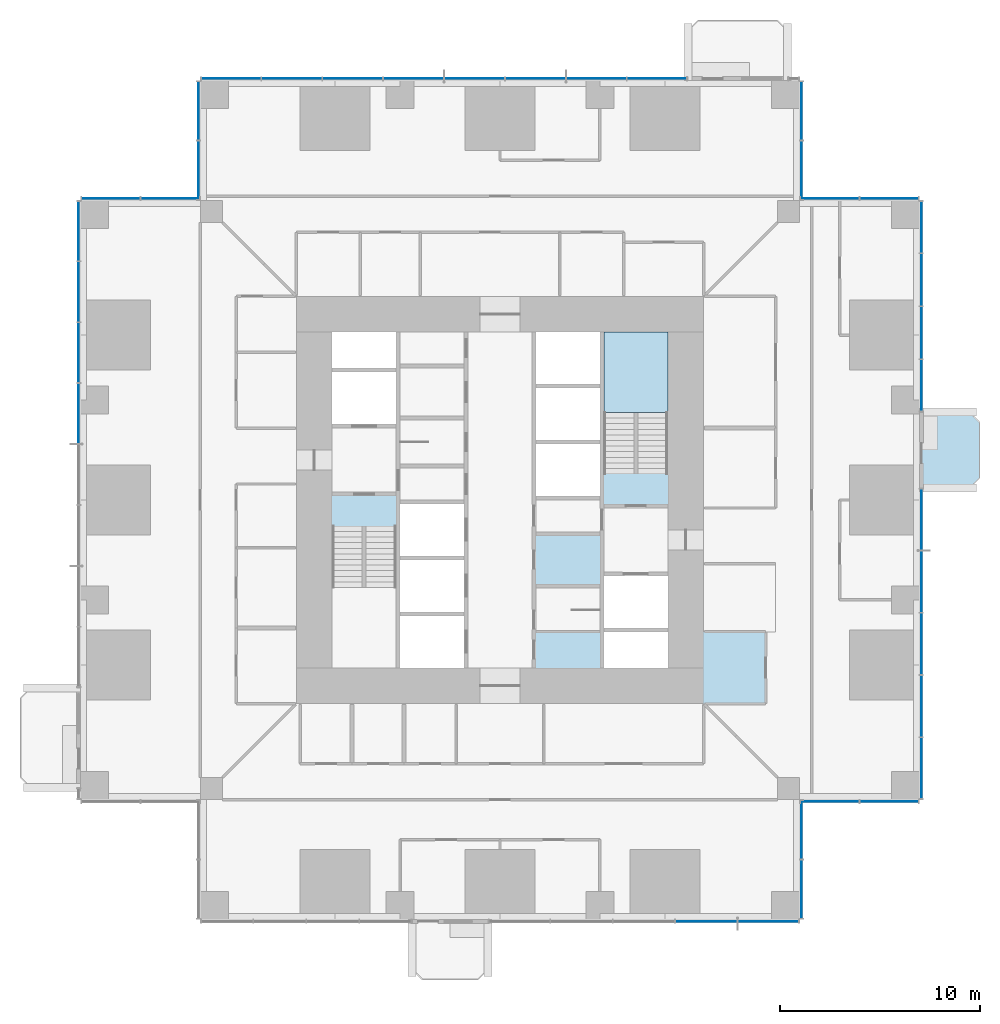
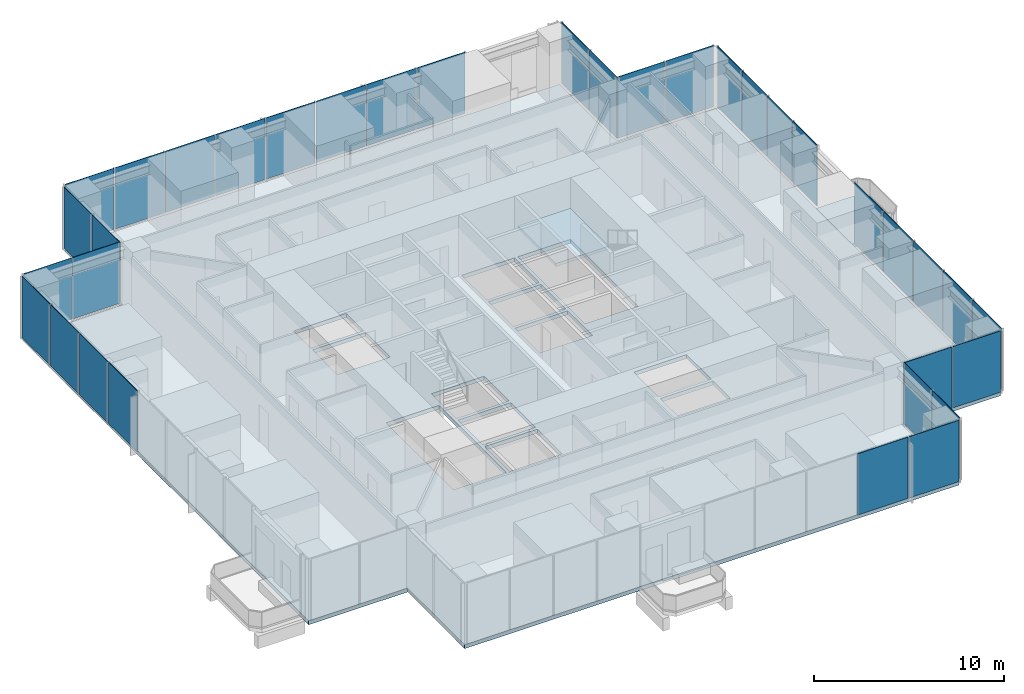
# One storey, part 9 of 17: 35 plates, 3 slabs, 12 elements without a shape of their own.
"""IFC4 building model written with IfcOpenShell, lengths in metres."""

from ifc_helpers import new_model, si_unit, direction, frame, origin, origin_2d, place, context, subcontext, project, spatial, polyline, rectangle, outline, extrude, material, layer, layer_set, type_object, element, aggregate, save


model = new_model("IFC4")

# Units and contexts
model_context = context("Model", 3, precision=1e-05, world=origin(), true_north=direction((0.0, 1.0)))
body_context = subcontext(model_context, "Body", "Model", "MODEL_VIEW")
ifc_project = project(units=[si_unit("LENGTHUNIT", "METRE"), si_unit("AREAUNIT", "SQUARE_METRE"), si_unit("VOLUMEUNIT", "CUBIC_METRE"), si_unit("PLANEANGLEUNIT", "RADIAN"), si_unit("MASSUNIT", "GRAM", prefix="KILO")], contexts=[model_context])

# Site, building, storey
site_placement = place(None, origin())
site = spatial("IfcSite", under=ifc_project, at=site_placement, CompositionType="ELEMENT")
building_placement = place(site_placement, origin())
building = spatial("IfcBuilding", under=site, at=building_placement, Name="Svetlomir Tower", CompositionType="ELEMENT")
storey_placement = place(building_placement, frame((0.0, 0.0, 62.5)))
storey = spatial("IfcBuildingStorey", under=building, at=storey_placement, Name="L14", CompositionType="ELEMENT", Elevation=62.5)

# Slab
ifc_material_1 = material(Name="Concrete C60/75", Category="concrete")
ifc_layer_1 = layer(ifc_material_1, 0.25)
ifc_layer_set_1 = layer_set([ifc_layer_1], Name="Concrete C60/75")
slab_type_1 = type_object("IfcSlabType", Name="BALCONY SLAB 250", PredefinedType="FLOOR", material=ifc_layer_set_1)
slab_1_placement = place(storey_placement, frame((0.0, 0.0, -0.25)))
element("IfcSlab", 1, at=slab_1_placement, inside=storey, type_object=slab_type_1, Name="L14 E planted balcony", PredefinedType="FLOOR", context=body_context, shape_type="SweptSolid", body=[
    extrude(outline(polyline([(42.0, 21.60009765625), (44.5, 21.60009765625), (45.0, 22.10009765625), (45.0, 24.89990234375), (44.5, 25.39990234375), (42.0, 25.39990234375), (42.0, 21.60009765625)])), origin(), (0.0, 0.0, 1.0), 0.25),
])

# Curtain wall, plates
ifc_material_2 = material(Name="Bronze anodised aluminium curtain wall", Category="aluminium")
curtain_wall_type = type_object("IfcCurtainWallType", Name="CURTAIN WALL CW1 TOWER OFFICE", PredefinedType="NOTDEFINED", material=ifc_material_2)
curtain_wall_1_placement = place(storey_placement, origin())
curtain_wall_1 = element("IfcCurtainWall", 2, at=curtain_wall_1_placement, inside=storey, type_object=curtain_wall_type, Name="Curtain wall CW1 L14", PredefinedType="NOTDEFINED")
ifc_material_3 = material(Name="Tinted double glazed unit", Category="glass")
ifc_layer_2 = layer(ifc_material_3, 0.031982421875)
ifc_layer_set_2 = layer_set([ifc_layer_2], Name="Tinted double glazed unit")
plate_type = type_object("IfcPlateType", Name="CW1 GLAZED PANEL 32", PredefinedType="CURTAIN_PANEL", material=ifc_layer_set_2)
plate_1_placement = place(storey_placement, frame((31.320068359375, -0.10009765625, 0.06494140625), z_axis=(0.0, 0.0, 1.0), x_axis=(1.0, 0.0, 0.0)))
plate_1 = element("IfcPlate", 3, at=plate_1_placement, type_object=plate_type, Name="CW1 panel 4.1", PredefinedType="CURTAIN_PANEL", context=body_context, shape_type="SweptSolid", body=[
    extrude(rectangle(XDim=3.054931640625, YDim=0.031982421875, at=origin_2d()), origin(), (0.0, 0.0, 1.0), 3.93505859375),
])
plate_2_placement = place(storey_placement, frame((34.423828125, -0.10009765625, 0.06494140625), z_axis=(0.0, 0.0, 1.0), x_axis=(1.0, 0.0, 0.0)))
plate_2 = element("IfcPlate", 4, at=plate_2_placement, type_object=plate_type, Name="CW1 panel 5.1", PredefinedType="CURTAIN_PANEL", context=body_context, shape_type="SweptSolid", body=[
    extrude(rectangle(XDim=3.0224609375, YDim=0.031982421875, at=origin_2d()), origin(), (0.0, 0.0, 1.0), 3.93505859375),
])
aggregate(curtain_wall_1, [plate_1, plate_2])

curtain_wall_2_placement = place(storey_placement, origin())
curtain_wall_2 = element("IfcCurtainWall", 5, at=curtain_wall_2_placement, inside=storey, type_object=curtain_wall_type, Name="Curtain wall CW1 L14", PredefinedType="NOTDEFINED")
plate_3_placement = place(storey_placement, frame((36.10009765625, 1.516357421875, 0.06494140625), z_axis=(0.0, 0.0, 1.0), x_axis=(0.0, 1.0, 0.0)))
plate_3 = element("IfcPlate", 6, at=plate_3_placement, type_object=plate_type, Name="CW1 panel 1.1", PredefinedType="CURTAIN_PANEL", context=body_context, shape_type="SweptSolid", body=[
    extrude(rectangle(XDim=2.902587890625, YDim=0.031982421875, at=origin_2d()), origin(), (0.0, 0.0, 1.0), 3.93505859375),
])
plate_4_placement = place(storey_placement, frame((36.10009765625, 4.483642578125, 0.06494140625), z_axis=(0.0, 0.0, 1.0), x_axis=(0.0, 1.0, 0.0)))
plate_4 = element("IfcPlate", 7, at=plate_4_placement, type_object=plate_type, Name="CW1 panel 2.1", PredefinedType="CURTAIN_PANEL", context=body_context, shape_type="SweptSolid", body=[
    extrude(rectangle(XDim=2.902587890625, YDim=0.031982421875, at=origin_2d()), origin(), (0.0, 0.0, 1.0), 3.93505859375),
])
aggregate(curtain_wall_2, [plate_3, plate_4])

curtain_wall_3_placement = place(storey_placement, origin())
curtain_wall_3 = element("IfcCurtainWall", 8, at=curtain_wall_3_placement, inside=storey, type_object=curtain_wall_type, Name="Curtain wall CW1 L14", PredefinedType="NOTDEFINED")
plate_5_placement = place(storey_placement, frame((37.516357421875, 5.89990234375, 0.06494140625), z_axis=(0.0, 0.0, 1.0), x_axis=(1.0, 0.0, 0.0)))
plate_5 = element("IfcPlate", 9, at=plate_5_placement, type_object=plate_type, Name="CW1 panel 1.1", PredefinedType="CURTAIN_PANEL", context=body_context, shape_type="SweptSolid", body=[
    extrude(rectangle(XDim=2.902587890625, YDim=0.031982421875, at=origin_2d()), origin(), (0.0, 0.0, 1.0), 3.93505859375),
])
plate_6_placement = place(storey_placement, frame((40.483642578125, 5.89990234375, 0.06494140625), z_axis=(0.0, 0.0, 1.0), x_axis=(1.0, 0.0, 0.0)))
plate_6 = element("IfcPlate", 10, at=plate_6_placement, type_object=plate_type, Name="CW1 panel 2.1", PredefinedType="CURTAIN_PANEL", context=body_context, shape_type="SweptSolid", body=[
    extrude(rectangle(XDim=2.902587890625, YDim=0.031982421875, at=origin_2d()), origin(), (0.0, 0.0, 1.0), 3.93505859375),
])
aggregate(curtain_wall_3, [plate_5, plate_6])

curtain_wall_4_placement = place(storey_placement, origin())
curtain_wall_4 = element("IfcCurtainWall", 11, at=curtain_wall_4_placement, inside=storey, type_object=curtain_wall_type, Name="Curtain wall CW1 L14", PredefinedType="NOTDEFINED")
plate_7_placement = place(storey_placement, frame((42.10009765625, 7.576171875, 0.06494140625), z_axis=(0.0, 0.0, 1.0), x_axis=(0.0, 1.0, 0.0)))
plate_7 = element("IfcPlate", 12, at=plate_7_placement, type_object=plate_type, Name="CW1 panel 1.1", PredefinedType="CURTAIN_PANEL", context=body_context, shape_type="SweptSolid", body=[
    extrude(rectangle(XDim=3.0224609375, YDim=0.031982421875, at=origin_2d()), origin(), (0.0, 0.0, 1.0), 3.93505859375),
])
plate_8_placement = place(storey_placement, frame((42.10009765625, 10.679931640625, 0.06494140625), z_axis=(0.0, 0.0, 1.0), x_axis=(0.0, 1.0, 0.0)))
plate_8 = element("IfcPlate", 13, at=plate_8_placement, type_object=plate_type, Name="CW1 panel 2.1", PredefinedType="CURTAIN_PANEL", context=body_context, shape_type="SweptSolid", body=[
    extrude(rectangle(XDim=3.054931640625, YDim=0.031982421875, at=origin_2d()), origin(), (0.0, 0.0, 1.0), 3.93505859375),
])
plate_9_placement = place(storey_placement, frame((42.10009765625, 13.800048828125, 0.06494140625), z_axis=(0.0, 0.0, 1.0), x_axis=(0.0, 1.0, 0.0)))
plate_9 = element("IfcPlate", 14, at=plate_9_placement, type_object=plate_type, Name="CW1 panel 3.1", PredefinedType="CURTAIN_PANEL", context=body_context, shape_type="SweptSolid", body=[
    extrude(rectangle(XDim=3.054931640625, YDim=0.031982421875, at=origin_2d()), origin(), (0.0, 0.0, 1.0), 3.93505859375),
])
plate_10_placement = place(storey_placement, frame((42.10009765625, 16.919921875, 0.06494140625), z_axis=(0.0, 0.0, 1.0), x_axis=(0.0, 1.0, 0.0)))
plate_10 = element("IfcPlate", 15, at=plate_10_placement, type_object=plate_type, Name="CW1 panel 4.1", PredefinedType="CURTAIN_PANEL", context=body_context, shape_type="SweptSolid", body=[
    extrude(rectangle(XDim=3.054931640625, YDim=0.031982421875, at=origin_2d()), origin(), (0.0, 0.0, 1.0), 3.93505859375),
])
plate_11_placement = place(storey_placement, frame((42.10009765625, 20.023681640625, 0.06494140625), z_axis=(0.0, 0.0, 1.0), x_axis=(0.0, 1.0, 0.0)))
plate_11 = element("IfcPlate", 16, at=plate_11_placement, type_object=plate_type, Name="CW1 panel 5.1", PredefinedType="CURTAIN_PANEL", context=body_context, shape_type="SweptSolid", body=[
    extrude(rectangle(XDim=3.0224609375, YDim=0.031982421875, at=origin_2d()), origin(), (0.0, 0.0, 1.0), 3.93505859375),
])
aggregate(curtain_wall_4, [plate_7, plate_8, plate_9, plate_10, plate_11])

curtain_wall_5_placement = place(storey_placement, origin())
curtain_wall_5 = element("IfcCurtainWall", 17, at=curtain_wall_5_placement, inside=storey, type_object=curtain_wall_type, Name="Curtain wall CW1 L14", PredefinedType="NOTDEFINED")
plate_12_placement = place(storey_placement, frame((42.10009765625, 26.7412109375, 0.06494140625), z_axis=(0.0, 0.0, 1.0), x_axis=(0.0, 1.0, 0.0)))
plate_12 = element("IfcPlate", 18, at=plate_12_placement, type_object=plate_type, Name="CW1 panel 1.1", PredefinedType="CURTAIN_PANEL", context=body_context, shape_type="SweptSolid", body=[
    extrude(rectangle(XDim=2.552490234375, YDim=0.031982421875, at=origin_2d()), origin(), (0.0, 0.0, 1.0), 3.93505859375),
])
plate_13_placement = place(storey_placement, frame((42.10009765625, 29.375, 0.06494140625), z_axis=(0.0, 0.0, 1.0), x_axis=(0.0, 1.0, 0.0)))
plate_13 = element("IfcPlate", 19, at=plate_13_placement, type_object=plate_type, Name="CW1 panel 2.1", PredefinedType="CURTAIN_PANEL", context=body_context, shape_type="SweptSolid", body=[
    extrude(rectangle(XDim=2.5849609375, YDim=0.031982421875, at=origin_2d()), origin(), (0.0, 0.0, 1.0), 3.93505859375),
])
plate_14_placement = place(storey_placement, frame((42.10009765625, 32.02490234375, 0.06494140625), z_axis=(0.0, 0.0, 1.0), x_axis=(0.0, 1.0, 0.0)))
plate_14 = element("IfcPlate", 20, at=plate_14_placement, type_object=plate_type, Name="CW1 panel 3.1", PredefinedType="CURTAIN_PANEL", context=body_context, shape_type="SweptSolid", body=[
    extrude(rectangle(XDim=2.5849609375, YDim=0.031982421875, at=origin_2d()), origin(), (0.0, 0.0, 1.0), 3.93505859375),
])
plate_15_placement = place(storey_placement, frame((42.10009765625, 34.65869140625, 0.06494140625), z_axis=(0.0, 0.0, 1.0), x_axis=(0.0, 1.0, 0.0)))
plate_15 = element("IfcPlate", 21, at=plate_15_placement, type_object=plate_type, Name="CW1 panel 4.1", PredefinedType="CURTAIN_PANEL", context=body_context, shape_type="SweptSolid", body=[
    extrude(rectangle(XDim=2.552490234375, YDim=0.031982421875, at=origin_2d()), origin(), (0.0, 0.0, 1.0), 3.93505859375),
])
aggregate(curtain_wall_5, [plate_12, plate_13, plate_14, plate_15])

curtain_wall_6_placement = place(storey_placement, origin())
curtain_wall_6 = element("IfcCurtainWall", 22, at=curtain_wall_6_placement, inside=storey, type_object=curtain_wall_type, Name="Curtain wall CW1 L14", PredefinedType="NOTDEFINED")
plate_16_placement = place(storey_placement, frame((40.483642578125, 36.10009765625, 0.06494140625), z_axis=(0.0, 0.0, 1.0), x_axis=(-1.0, 0.0, 0.0)))
plate_16 = element("IfcPlate", 23, at=plate_16_placement, type_object=plate_type, Name="CW1 panel 1.1", PredefinedType="CURTAIN_PANEL", context=body_context, shape_type="SweptSolid", body=[
    extrude(rectangle(XDim=2.902587890625, YDim=0.031982421875, at=origin_2d()), origin(), (0.0, 0.0, 1.0), 3.93505859375),
])
plate_17_placement = place(storey_placement, frame((37.516357421875, 36.10009765625, 0.06494140625), z_axis=(0.0, 0.0, 1.0), x_axis=(-1.0, 0.0, 0.0)))
plate_17 = element("IfcPlate", 24, at=plate_17_placement, type_object=plate_type, Name="CW1 panel 2.1", PredefinedType="CURTAIN_PANEL", context=body_context, shape_type="SweptSolid", body=[
    extrude(rectangle(XDim=2.902587890625, YDim=0.031982421875, at=origin_2d()), origin(), (0.0, 0.0, 1.0), 3.93505859375),
])
aggregate(curtain_wall_6, [plate_16, plate_17])

curtain_wall_7_placement = place(storey_placement, origin())
curtain_wall_7 = element("IfcCurtainWall", 25, at=curtain_wall_7_placement, inside=storey, type_object=curtain_wall_type, Name="Curtain wall CW1 L14", PredefinedType="NOTDEFINED")
plate_18_placement = place(storey_placement, frame((36.10009765625, 37.516357421875, 0.06494140625), z_axis=(0.0, 0.0, 1.0), x_axis=(0.0, 1.0, 0.0)))
plate_18 = element("IfcPlate", 26, at=plate_18_placement, type_object=plate_type, Name="CW1 panel 1.1", PredefinedType="CURTAIN_PANEL", context=body_context, shape_type="SweptSolid", body=[
    extrude(rectangle(XDim=2.902587890625, YDim=0.031982421875, at=origin_2d()), origin(), (0.0, 0.0, 1.0), 3.93505859375),
])
plate_19_placement = place(storey_placement, frame((36.10009765625, 40.483642578125, 0.06494140625), z_axis=(0.0, 0.0, 1.0), x_axis=(0.0, 1.0, 0.0)))
plate_19 = element("IfcPlate", 27, at=plate_19_placement, type_object=plate_type, Name="CW1 panel 2.1", PredefinedType="CURTAIN_PANEL", context=body_context, shape_type="SweptSolid", body=[
    extrude(rectangle(XDim=2.902587890625, YDim=0.031982421875, at=origin_2d()), origin(), (0.0, 0.0, 1.0), 3.93505859375),
])
aggregate(curtain_wall_7, [plate_18, plate_19])

curtain_wall_8_placement = place(storey_placement, origin())
curtain_wall_8 = element("IfcCurtainWall", 28, at=curtain_wall_8_placement, inside=storey, type_object=curtain_wall_type, Name="Curtain wall CW1 L14", PredefinedType="NOTDEFINED")
plate_20_placement = place(storey_placement, frame((28.858642578125, 42.10009765625, 0.06494140625), z_axis=(0.0, 0.0, 1.0), x_axis=(-1.0, 0.0, 0.0)))
plate_20 = element("IfcPlate", 29, at=plate_20_placement, type_object=plate_type, Name="CW1 panel 1.1", PredefinedType="CURTAIN_PANEL", context=body_context, shape_type="SweptSolid", body=[
    extrude(rectangle(XDim=2.952392578125, YDim=0.031982421875, at=origin_2d()), origin(), (0.0, 0.0, 1.0), 3.93505859375),
])
plate_21_placement = place(storey_placement, frame((25.824951171875, 42.10009765625, 0.06494140625), z_axis=(0.0, 0.0, 1.0), x_axis=(-1.0, 0.0, 0.0)))
plate_21 = element("IfcPlate", 30, at=plate_21_placement, type_object=plate_type, Name="CW1 panel 2.1", PredefinedType="CURTAIN_PANEL", context=body_context, shape_type="SweptSolid", body=[
    extrude(rectangle(XDim=2.985107421875, YDim=0.031982421875, at=origin_2d()), origin(), (0.0, 0.0, 1.0), 3.93505859375),
])
plate_22_placement = place(storey_placement, frame((22.77490234375, 42.10009765625, 0.06494140625), z_axis=(0.0, 0.0, 1.0), x_axis=(-1.0, 0.0, 0.0)))
plate_22 = element("IfcPlate", 31, at=plate_22_placement, type_object=plate_type, Name="CW1 panel 3.1", PredefinedType="CURTAIN_PANEL", context=body_context, shape_type="SweptSolid", body=[
    extrude(rectangle(XDim=2.985107421875, YDim=0.031982421875, at=origin_2d()), origin(), (0.0, 0.0, 1.0), 3.93505859375),
])
plate_23_placement = place(storey_placement, frame((19.72509765625, 42.10009765625, 0.06494140625), z_axis=(0.0, 0.0, 1.0), x_axis=(-1.0, 0.0, 0.0)))
plate_23 = element("IfcPlate", 32, at=plate_23_placement, type_object=plate_type, Name="CW1 panel 4.1", PredefinedType="CURTAIN_PANEL", context=body_context, shape_type="SweptSolid", body=[
    extrude(rectangle(XDim=2.985107421875, YDim=0.031982421875, at=origin_2d()), origin(), (0.0, 0.0, 1.0), 3.93505859375),
])
plate_24_placement = place(storey_placement, frame((16.675048828125, 42.10009765625, 0.06494140625), z_axis=(0.0, 0.0, 1.0), x_axis=(-1.0, 0.0, 0.0)))
plate_24 = element("IfcPlate", 33, at=plate_24_placement, type_object=plate_type, Name="CW1 panel 5.1", PredefinedType="CURTAIN_PANEL", context=body_context, shape_type="SweptSolid", body=[
    extrude(rectangle(XDim=2.985107421875, YDim=0.031982421875, at=origin_2d()), origin(), (0.0, 0.0, 1.0), 3.93505859375),
])
plate_25_placement = place(storey_placement, frame((13.625, 42.10009765625, 0.06494140625), z_axis=(0.0, 0.0, 1.0), x_axis=(-1.0, 0.0, 0.0)))
plate_25 = element("IfcPlate", 34, at=plate_25_placement, type_object=plate_type, Name="CW1 panel 6.1", PredefinedType="CURTAIN_PANEL", context=body_context, shape_type="SweptSolid", body=[
    extrude(rectangle(XDim=2.985107421875, YDim=0.031982421875, at=origin_2d()), origin(), (0.0, 0.0, 1.0), 3.93505859375),
])
plate_26_placement = place(storey_placement, frame((10.574951171875, 42.10009765625, 0.06494140625), z_axis=(0.0, 0.0, 1.0), x_axis=(-1.0, 0.0, 0.0)))
plate_26 = element("IfcPlate", 35, at=plate_26_placement, type_object=plate_type, Name="CW1 panel 7.1", PredefinedType="CURTAIN_PANEL", context=body_context, shape_type="SweptSolid", body=[
    extrude(rectangle(XDim=2.985107421875, YDim=0.031982421875, at=origin_2d()), origin(), (0.0, 0.0, 1.0), 3.93505859375),
])
plate_27_placement = place(storey_placement, frame((7.541259765625, 42.10009765625, 0.06494140625), z_axis=(0.0, 0.0, 1.0), x_axis=(-1.0, 0.0, 0.0)))
plate_27 = element("IfcPlate", 36, at=plate_27_placement, type_object=plate_type, Name="CW1 panel 8.1", PredefinedType="CURTAIN_PANEL", context=body_context, shape_type="SweptSolid", body=[
    extrude(rectangle(XDim=2.952392578125, YDim=0.031982421875, at=origin_2d()), origin(), (0.0, 0.0, 1.0), 3.93505859375),
])
aggregate(curtain_wall_8, [plate_20, plate_21, plate_22, plate_23, plate_24, plate_25, plate_26, plate_27])

curtain_wall_9_placement = place(storey_placement, origin())
curtain_wall_9 = element("IfcCurtainWall", 37, at=curtain_wall_9_placement, inside=storey, type_object=curtain_wall_type, Name="Curtain wall CW1 L14", PredefinedType="NOTDEFINED")
plate_28_placement = place(storey_placement, frame((5.89990234375, 40.483642578125, 0.06494140625), z_axis=(0.0, 0.0, 1.0), x_axis=(0.0, -1.0, 0.0)))
plate_28 = element("IfcPlate", 38, at=plate_28_placement, type_object=plate_type, Name="CW1 panel 1.1", PredefinedType="CURTAIN_PANEL", context=body_context, shape_type="SweptSolid", body=[
    extrude(rectangle(XDim=2.902587890625, YDim=0.031982421875, at=origin_2d()), origin(), (0.0, 0.0, 1.0), 3.93505859375),
])
plate_29_placement = place(storey_placement, frame((5.89990234375, 37.516357421875, 0.06494140625), z_axis=(0.0, 0.0, 1.0), x_axis=(0.0, -1.0, 0.0)))
plate_29 = element("IfcPlate", 39, at=plate_29_placement, type_object=plate_type, Name="CW1 panel 2.1", PredefinedType="CURTAIN_PANEL", context=body_context, shape_type="SweptSolid", body=[
    extrude(rectangle(XDim=2.902587890625, YDim=0.031982421875, at=origin_2d()), origin(), (0.0, 0.0, 1.0), 3.93505859375),
])
aggregate(curtain_wall_9, [plate_28, plate_29])

curtain_wall_10_placement = place(storey_placement, origin())
curtain_wall_10 = element("IfcCurtainWall", 40, at=curtain_wall_10_placement, inside=storey, type_object=curtain_wall_type, Name="Curtain wall CW1 L14", PredefinedType="NOTDEFINED")
plate_30_placement = place(storey_placement, frame((4.483642578125, 36.10009765625, 0.06494140625), z_axis=(0.0, 0.0, 1.0), x_axis=(-1.0, 0.0, 0.0)))
plate_30 = element("IfcPlate", 41, at=plate_30_placement, type_object=plate_type, Name="CW1 panel 1.1", PredefinedType="CURTAIN_PANEL", context=body_context, shape_type="SweptSolid", body=[
    extrude(rectangle(XDim=2.902587890625, YDim=0.031982421875, at=origin_2d()), origin(), (0.0, 0.0, 1.0), 3.93505859375),
])
plate_31_placement = place(storey_placement, frame((1.516357421875, 36.10009765625, 0.06494140625), z_axis=(0.0, 0.0, 1.0), x_axis=(-1.0, 0.0, 0.0)))
plate_31 = element("IfcPlate", 42, at=plate_31_placement, type_object=plate_type, Name="CW1 panel 2.1", PredefinedType="CURTAIN_PANEL", context=body_context, shape_type="SweptSolid", body=[
    extrude(rectangle(XDim=2.902587890625, YDim=0.031982421875, at=origin_2d()), origin(), (0.0, 0.0, 1.0), 3.93505859375),
])
aggregate(curtain_wall_10, [plate_30, plate_31])

curtain_wall_11_placement = place(storey_placement, origin())
curtain_wall_11 = element("IfcCurtainWall", 43, at=curtain_wall_11_placement, inside=storey, type_object=curtain_wall_type, Name="Curtain wall CW1 L14", PredefinedType="NOTDEFINED")
plate_32_placement = place(storey_placement, frame((-0.10009765625, 34.458740234375, 0.06494140625), z_axis=(0.0, 0.0, 1.0), x_axis=(0.0, -1.0, 0.0)))
plate_32 = element("IfcPlate", 44, at=plate_32_placement, type_object=plate_type, Name="CW1 panel 1.1", PredefinedType="CURTAIN_PANEL", context=body_context, shape_type="SweptSolid", body=[
    extrude(rectangle(XDim=2.952392578125, YDim=0.031982421875, at=origin_2d()), origin(), (0.0, 0.0, 1.0), 3.93505859375),
])
plate_33_placement = place(storey_placement, frame((-0.10009765625, 31.425048828125, 0.06494140625), z_axis=(0.0, 0.0, 1.0), x_axis=(0.0, -1.0, 0.0)))
plate_33 = element("IfcPlate", 45, at=plate_33_placement, type_object=plate_type, Name="CW1 panel 2.1", PredefinedType="CURTAIN_PANEL", context=body_context, shape_type="SweptSolid", body=[
    extrude(rectangle(XDim=2.985107421875, YDim=0.031982421875, at=origin_2d()), origin(), (0.0, 0.0, 1.0), 3.93505859375),
])
plate_34_placement = place(storey_placement, frame((-0.10009765625, 28.375, 0.06494140625), z_axis=(0.0, 0.0, 1.0), x_axis=(0.0, -1.0, 0.0)))
plate_34 = element("IfcPlate", 46, at=plate_34_placement, type_object=plate_type, Name="CW1 panel 3.1", PredefinedType="CURTAIN_PANEL", context=body_context, shape_type="SweptSolid", body=[
    extrude(rectangle(XDim=2.985107421875, YDim=0.031982421875, at=origin_2d()), origin(), (0.0, 0.0, 1.0), 3.93505859375),
])
plate_35_placement = place(storey_placement, frame((-0.10009765625, 25.324951171875, 0.06494140625), z_axis=(0.0, 0.0, 1.0), x_axis=(0.0, -1.0, 0.0)))
plate_35 = element("IfcPlate", 47, at=plate_35_placement, type_object=plate_type, Name="CW1 panel 4.1", PredefinedType="CURTAIN_PANEL", context=body_context, shape_type="SweptSolid", body=[
    extrude(rectangle(XDim=2.985107421875, YDim=0.031982421875, at=origin_2d()), origin(), (0.0, 0.0, 1.0), 3.93505859375),
])
aggregate(curtain_wall_11, [plate_32, plate_33, plate_34, plate_35])

# Slab
ifc_material_4 = material(Name="Concrete C60/75", Category="concrete")
ifc_layer_3 = layer(ifc_material_4, 0.25)
ifc_layer_set_3 = layer_set([ifc_layer_3], Name="Concrete C60/75")
slab_type_2 = type_object("IfcSlabType", Name="FLOOR SLAB 250", PredefinedType="FLOOR", material=ifc_layer_set_3)
slab_2_placement = place(storey_placement, frame((0.0, 0.0, -0.25)))
element("IfcSlab", 48, at=slab_2_placement, inside=storey, type_object=slab_type_2, Name="L14 floor slab", PredefinedType="FLOOR", context=body_context, shape_type="SweptSolid", body=[
    extrude(outline(polyline([(6.0, 0.0), (36.0, 0.0), (36.0, 6.0), (42.0, 6.0), (42.0, 36.0), (36.0, 36.0), (36.0, 42.0), (6.0, 42.0), (6.0, 36.0), (0.0, 36.0), (0.0, 6.0), (6.0, 6.0), (6.0, 0.0)]), holes=[polyline([(12.60009765625, 24.800048828125), (15.800048828125, 24.800048828125), (15.800048828125, 27.39990234375), (12.60009765625, 27.39990234375), (12.60009765625, 24.800048828125)]), polyline([(26.199951171875, 14.60009765625), (29.39990234375, 14.60009765625), (29.39990234375, 17.199951171875), (26.199951171875, 17.199951171875), (26.199951171875, 14.60009765625)]), polyline([(16.0, 12.60009765625), (19.199951171875, 12.60009765625), (19.199951171875, 15.199951171875), (16.0, 15.199951171875), (16.0, 12.60009765625)]), polyline([(16.0, 15.39990234375), (19.199951171875, 15.39990234375), (19.199951171875, 18.0), (16.0, 18.0), (16.0, 15.39990234375)]), polyline([(16.0, 18.199951171875), (19.199951171875, 18.199951171875), (19.199951171875, 20.800048828125), (16.0, 20.800048828125), (16.0, 18.199951171875)]), polyline([(22.800048828125, 21.199951171875), (26.0, 21.199951171875), (26.0, 23.800048828125), (22.800048828125, 23.800048828125), (22.800048828125, 21.199951171875)]), polyline([(22.800048828125, 24.0), (26.0, 24.0), (26.0, 26.60009765625), (22.800048828125, 26.60009765625), (22.800048828125, 24.0)]), polyline([(22.800048828125, 26.800048828125), (26.0, 26.800048828125), (26.0, 29.39990234375), (22.800048828125, 29.39990234375), (22.800048828125, 26.800048828125)]), polyline([(12.60009765625, 27.60009765625), (15.800048828125, 27.60009765625), (15.800048828125, 29.39990234375), (12.60009765625, 29.39990234375), (12.60009765625, 27.60009765625)]), polyline([(26.199951171875, 12.60009765625), (29.39990234375, 12.60009765625), (29.39990234375, 14.39990234375), (26.199951171875, 14.39990234375), (26.199951171875, 12.60009765625)]), polyline([(12.60009765625, 12.60009765625), (15.800048828125, 12.60009765625), (15.800048828125, 19.679931640625), (12.60009765625, 19.679931640625), (12.60009765625, 12.60009765625)]), polyline([(26.199951171875, 22.320068359375), (29.39990234375, 22.320068359375), (29.39990234375, 29.39990234375), (26.199951171875, 29.39990234375), (26.199951171875, 22.320068359375)])]), origin(), (0.0, 0.0, 1.0), 0.25),
])

# Stair, slab
ifc_material_5 = material(Name="Concrete C60/75", Category="concrete")
stair_type = type_object("IfcStairType", Name="EXIT STAIR 3200 RISE 4000", PredefinedType="HALF_TURN_STAIR", material=ifc_material_5)
stair_placement = place(storey_placement, origin())
stair = element("IfcStair", 49, at=stair_placement, inside=storey, type_object=stair_type, Name="Stair S2 L14 to L15", PredefinedType="HALF_TURN_STAIR")
ifc_material_6 = material(Name="Concrete C60/75", Category="concrete")
ifc_layer_4 = layer(ifc_material_6, 0.199951171875)
ifc_layer_set_4 = layer_set([ifc_layer_4], Name="Concrete C60/75")
slab_type_3 = type_object("IfcSlabType", Name="STAIR LANDING 200", PredefinedType="LANDING", material=ifc_layer_set_4)
slab_3_placement = place(storey_placement, frame((0.0, 0.0, 1.800048828125)))
slab_3 = element("IfcSlab", 50, at=slab_3_placement, type_object=slab_type_3, Name="S2 landing 1", PredefinedType="LANDING", context=body_context, shape_type="SweptSolid", body=[
    extrude(outline(polyline([(26.199951171875, 25.3798828125), (29.39990234375, 25.3798828125), (29.39990234375, 29.39990234375), (26.199951171875, 29.39990234375), (26.199951171875, 25.3798828125)])), origin(), (0.0, 0.0, 1.0), 0.199951171875),
])
aggregate(stair, [slab_3])

save(model, "model.ifc")
